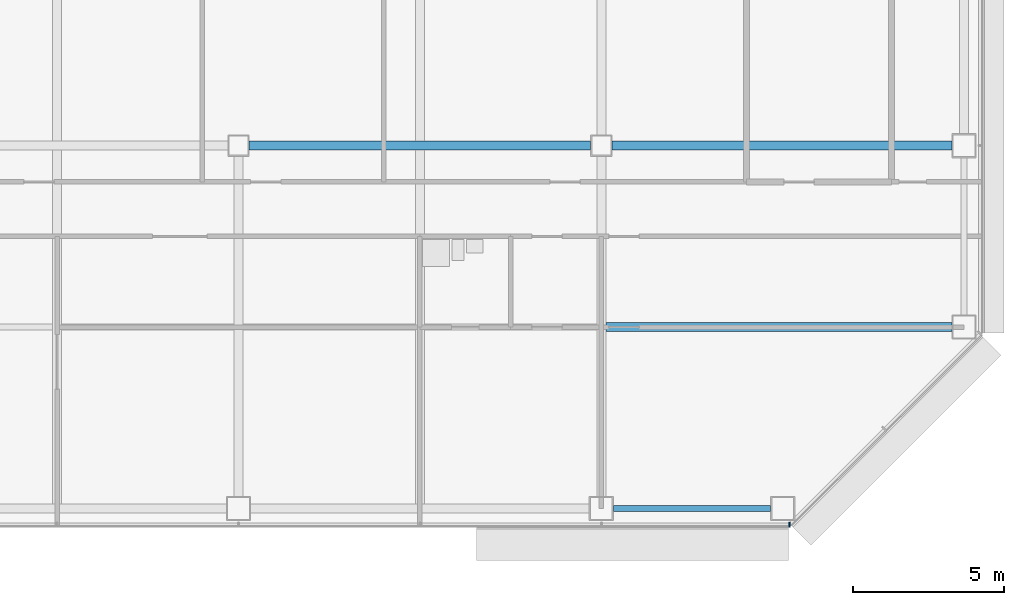
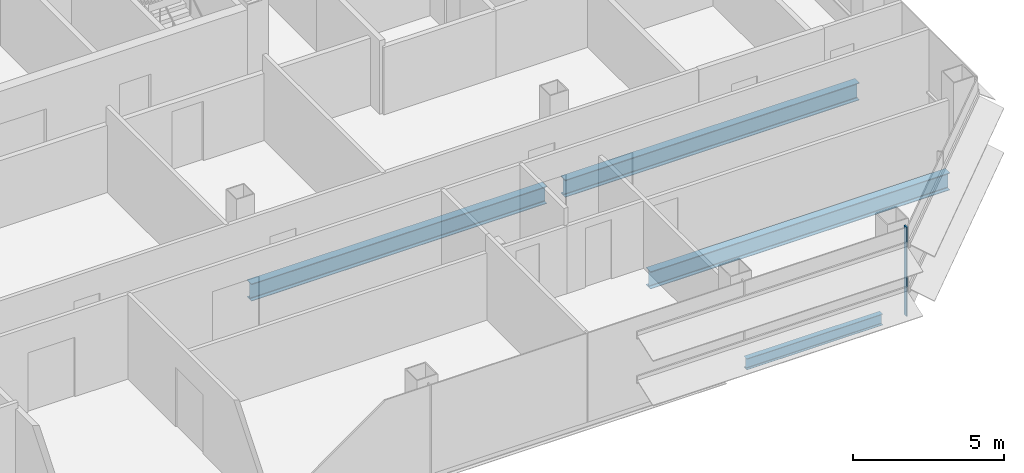
# One storey, part 9 of 25: 4 beams, 1 member, 1 element without a shape of its own.
"""IFC4 building model written with IfcOpenShell, lengths in metres."""

from ifc_helpers import new_model, si_unit, direction, frame, origin, origin_2d, place, context, subcontext, project, spatial, rectangle, i_section, extrude, material, material_profile, profile_set, type_object, element, aggregate, save


model = new_model("IFC4")

# Units and contexts
model_context = context("Model", 3, precision=1e-05, world=origin(), true_north=direction((0.0, 1.0)))
body_context = subcontext(model_context, "Body", "Model", "MODEL_VIEW")
ifc_project = project(units=[si_unit("LENGTHUNIT", "METRE"), si_unit("AREAUNIT", "SQUARE_METRE"), si_unit("VOLUMEUNIT", "CUBIC_METRE"), si_unit("PLANEANGLEUNIT", "RADIAN"), si_unit("MASSUNIT", "GRAM", prefix="KILO")], contexts=[model_context])

# Site, building, storey
site_placement = place(None, origin())
site = spatial("IfcSite", under=ifc_project, at=site_placement, CompositionType="ELEMENT")
building_placement = place(site_placement, origin())
building = spatial("IfcBuilding", under=site, at=building_placement, Name="Sorahane Residences", CompositionType="ELEMENT")
storey_placement = place(building_placement, frame((0.0, 0.0, 99.800048828125)))
storey = spatial("IfcBuildingStorey", under=building, at=storey_placement, Name="L21", CompositionType="ELEMENT", Elevation=99.800048828125)

# Curtain wall, member
ifc_material_1 = material(Name="Dark low-e glass and black anodised aluminium", Category="aluminium")
curtain_wall_type = type_object("IfcCurtainWallType", Name="Curtain wall CW-1 Typical unitised wall", PredefinedType="NOTDEFINED", material=ifc_material_1)
curtain_wall_placement = place(storey_placement, origin())
curtain_wall = element("IfcCurtainWall", 1, at=curtain_wall_placement, inside=storey, type_object=curtain_wall_type, Name="CW-1 curtain wall L21 S1", PredefinedType="NOTDEFINED")
ifc_material_2 = material(Name="Black anodised aluminium", Category="aluminium")
ifc_material_profile_1 = material_profile(ifc_material_2, rectangle(XDim=0.159912109375, YDim=0.050048828125, at=origin_2d()), Name="Curtain wall mullion CW-1 black anodised aluminium 50x160")
ifc_profile_set_1 = profile_set([ifc_material_profile_1], Name="Black anodised aluminium")
member_type = type_object("IfcMemberType", Name="Curtain wall mullion CW-1 black anodised aluminium 50x160", PredefinedType="MULLION", material=ifc_profile_set_1)
member_placement = place(storey_placement, frame((54.2236328125, -0.5400390625, -0.179931640625), z_axis=(0.0, 0.0, 1.0), x_axis=(0.0, -1.0, 0.0)))
member = element("IfcMember", 2, at=member_placement, type_object=member_type, Name="CW-1 mullion L21 S1.10", PredefinedType="MULLION", context=body_context, shape_type="SweptSolid", body=[
    extrude(rectangle(XDim=0.159912109375, YDim=0.050048828125, at=origin_2d()), origin(), (0.0, 0.0, 1.0), 3.599853515625),
])
aggregate(curtain_wall, [member])

# Beams
ifc_material_3 = material(Name="Steel Q355B", Category="steel")
ifc_material_profile_2 = material_profile(ifc_material_3, i_section(OverallWidth=0.199951171875, OverallDepth=0.449951171875, WebThickness=0.009033203125, FlangeThickness=0.013916015625, FilletRadius=0.02001953125, at=origin_2d()), Name="HN 450x200x9x14")
ifc_profile_set_2 = profile_set([ifc_material_profile_2], Name="Steel Q355B")
beam_type_1 = type_object("IfcBeamType", Name="Steel floor beam HN 450x200x9x14 Q355B", PredefinedType="BEAM", material=ifc_profile_set_2)
beam_1_placement = place(storey_placement, frame((48.39990234375, 0.0, -0.405029296875), z_axis=(1.0, 0.0, 0.0), x_axis=(0.0, 1.0, 0.0)))
element("IfcBeam", 3, at=beam_1_placement, inside=storey, type_object=beam_type_1, Name="Beam L21 004", PredefinedType="BEAM", context=body_context, shape_type="SweptSolid", body=[
    extrude(i_section(OverallWidth=0.199951171875, OverallDepth=0.449951171875, WebThickness=0.009033203125, FlangeThickness=0.013916015625, FilletRadius=0.02001953125, at=origin_2d()), origin(), (0.0, 0.0, 1.0), 5.2001953125),
])
ifc_material_4 = material(Name="Steel Q355B", Category="steel")
ifc_material_profile_3 = material_profile(ifc_material_4, i_section(OverallWidth=0.300048828125, OverallDepth=0.699951171875, WebThickness=0.012939453125, FlangeThickness=0.02392578125, FilletRadius=0.028076171875, at=origin_2d()), Name="HN 700x300x13x24")
ifc_profile_set_3 = profile_set([ifc_material_profile_3], Name="Steel Q355B")
beam_type_2 = type_object("IfcBeamType", Name="Steel floor beam HN 700x300x13x24 Q355B", PredefinedType="BEAM", material=ifc_profile_set_3)
beam_2_placement = place(storey_placement, frame((36.35009765625, 12.0, -0.530029296875), z_axis=(1.0, 0.0, 0.0), x_axis=(0.0, 1.0, 0.0)))
element("IfcBeam", 4, at=beam_2_placement, inside=storey, type_object=beam_type_2, Name="Beam L21 009", PredefinedType="BEAM", context=body_context, shape_type="SweptSolid", body=[
    extrude(i_section(OverallWidth=0.300048828125, OverallDepth=0.699951171875, WebThickness=0.012939453125, FlangeThickness=0.02392578125, FilletRadius=0.028076171875, at=origin_2d()), origin(), (0.0, 0.0, 1.0), 11.2998046875),
])
beam_3_placement = place(storey_placement, frame((48.35009765625, 12.0, -0.530029296875), z_axis=(1.0, 0.0, 0.0), x_axis=(0.0, 1.0, 0.0)))
element("IfcBeam", 5, at=beam_3_placement, inside=storey, type_object=beam_type_2, Name="Beam L21 010", PredefinedType="BEAM", context=body_context, shape_type="SweptSolid", body=[
    extrude(i_section(OverallWidth=0.300048828125, OverallDepth=0.699951171875, WebThickness=0.012939453125, FlangeThickness=0.02392578125, FilletRadius=0.028076171875, at=origin_2d()), origin(), (0.0, 0.0, 1.0), 11.25),
])
beam_4_placement = place(storey_placement, frame((48.14990234375, 6.0, -0.530029296875), z_axis=(1.0, 0.0, 0.0), x_axis=(0.0, 1.0, 0.0)))
element("IfcBeam", 6, at=beam_4_placement, inside=storey, type_object=beam_type_2, Name="Beam L21 077", PredefinedType="BEAM", context=body_context, shape_type="SweptSolid", body=[
    extrude(i_section(OverallWidth=0.300048828125, OverallDepth=0.699951171875, WebThickness=0.012939453125, FlangeThickness=0.02392578125, FilletRadius=0.028076171875, at=origin_2d()), origin(), (0.0, 0.0, 1.0), 11.4501953125),
])

save(model, "model.ifc")
